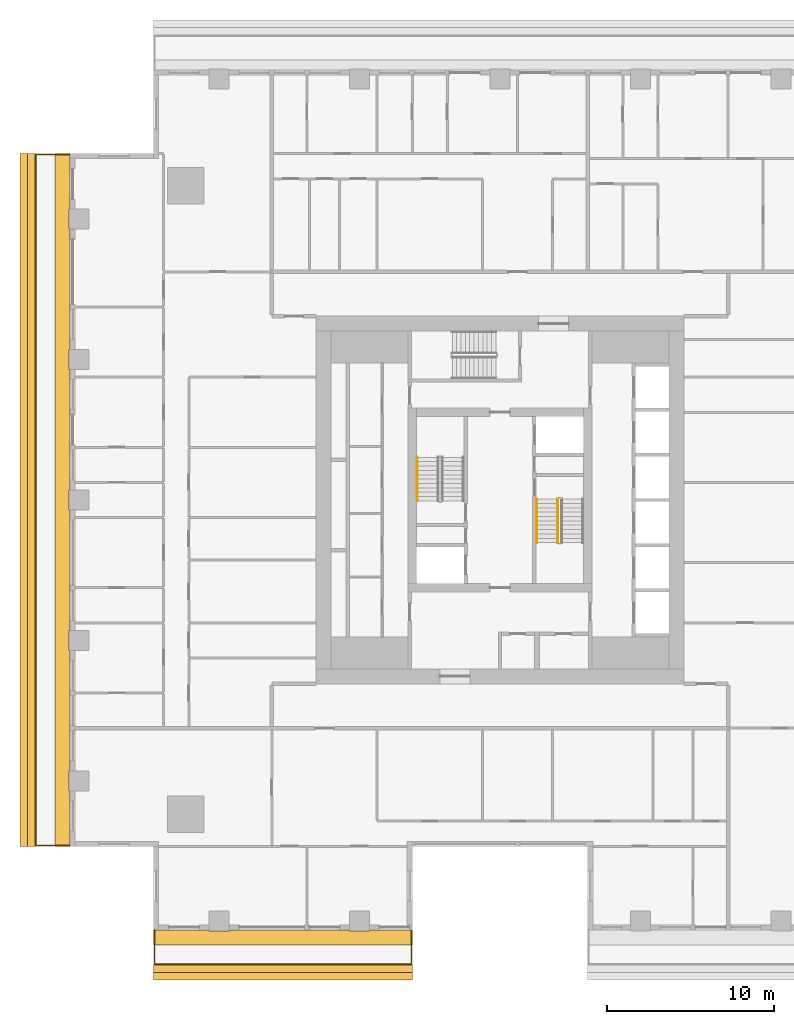
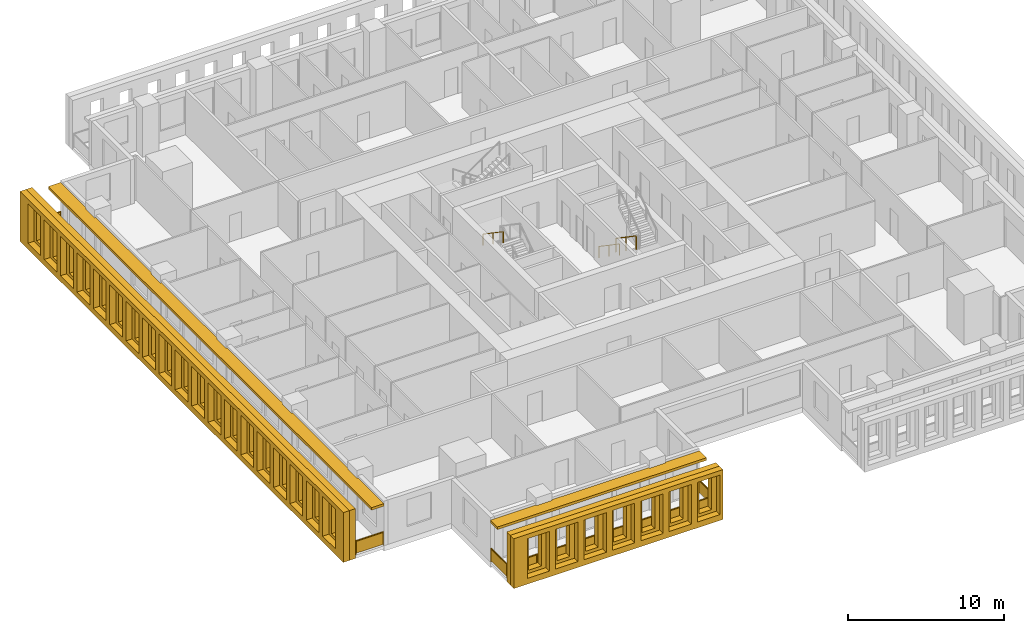
# One storey, part 11 of 15: 6 shading devices, 5 railings.
"""IFC4 building model written with IfcOpenShell, lengths in metres."""

import ifcopenshell
import ifcopenshell.guid

model = None  # the IFC model being written
_history = None  # IfcOwnerHistory: only IFC2X3 demands one
_inside = {}  # id of a spatial element -> (the spatial element, [elements in it])
_under = {}  # id of a project, library or spatial element -> (it, [spatial elements below it])
_declared = {}  # id of a project -> (the project, [libraries it declares])
_typed = {}  # id of a type object -> (the type object, [elements of that type])
_made_of = {}  # id of a material, layer set ... -> (it, [elements and type objects made of it])


def new_model(schema):
    """Start an empty IFC model of exactly this schema.

    Asked for "IFC4X3", IfcOpenShell would pick the latest addendum, in which some entities
    have other attributes; the version numbers below select the first issue.
    IFC2X3 requires an IfcOwnerHistory on every rooted entity: one is made here for all.
    """
    global model, _history
    if schema == "IFC4X3":
        model = ifcopenshell.file(schema_version=(4, 3, 0, 0))
    else:
        model = ifcopenshell.file(schema=schema)
    _inside.clear()
    _under.clear()
    _declared.clear()
    _typed.clear()
    _made_of.clear()
    _history = None
    if model.schema == "IFC2X3":
        org = make("IfcOrganization", Name="unknown")
        user = make(
            "IfcPersonAndOrganization",
            ThePerson=make("IfcPerson", FamilyName="unknown"),
            TheOrganization=org,
        )
        app = make(
            "IfcApplication",
            ApplicationDeveloper=org,
            Version="unknown",
            ApplicationFullName="unknown",
            ApplicationIdentifier="unknown",
        )
        _history = make(
            "IfcOwnerHistory",
            OwningUser=user,
            OwningApplication=app,
            ChangeAction="ADDED",
            CreationDate=0,
        )
    return model


def make(cls, **values):
    """One entity of the class cls with the attributes given. An attribute that is None is left unset."""
    return model.create_entity(
        cls, **{name: value for name, value in values.items() if value is not None}
    )


def rooted(cls, **values):
    """An entity with a GlobalId (a new one), such as an element, a storey or a relation."""
    return make(cls, GlobalId=ifcopenshell.guid.new(), OwnerHistory=_history, **values)


def si_unit(unit_type, name, prefix=None):
    """IfcSIUnit, for example si_unit("LENGTHUNIT", "METRE", prefix="MILLI")."""
    return make("IfcSIUnit", UnitType=unit_type, Prefix=prefix, Name=name)


def assignment(units):
    """IfcUnitAssignment: the units of a project."""
    return None if units is None else make("IfcUnitAssignment", Units=units)


def point(xyz):
    """IfcCartesianPoint."""
    return None if xyz is None else make("IfcCartesianPoint", Coordinates=xyz)


def direction(xyz):
    """IfcDirection."""
    return None if xyz is None else make("IfcDirection", DirectionRatios=xyz)


def frame(location, z_axis=None, x_axis=None):
    """IfcAxis2Placement3D, a coordinate frame: its origin and axes. An axis left out is left unset."""
    return make(
        "IfcAxis2Placement3D",
        Location=point(location),
        Axis=direction(z_axis),
        RefDirection=direction(x_axis),
    )


def frame_2d(location, x_axis=None):
    """IfcAxis2Placement2D, a coordinate frame in the plane: its origin and x axis."""
    return make(
        "IfcAxis2Placement2D", Location=point(location), RefDirection=direction(x_axis)
    )


def origin():
    """The frame at (0, 0, 0) with its axes left unset."""
    return frame((0.0, 0.0, 0.0))


def origin_2d():
    """The frame at (0, 0) in the plane with its x axis left unset."""
    return frame_2d((0.0, 0.0))


def place(relative_to, where):
    """IfcLocalPlacement: puts the frame where relative to a parent placement (None: the world)."""
    return make(
        "IfcLocalPlacement", PlacementRelTo=relative_to, RelativePlacement=where
    )


def context(
    kind, dimensions, precision=None, world=None, true_north=None, identifier=None
):
    """IfcGeometricRepresentationContext, for example the 3D "Model" context."""
    return make(
        "IfcGeometricRepresentationContext",
        ContextIdentifier=identifier,
        ContextType=kind,
        CoordinateSpaceDimension=dimensions,
        Precision=precision,
        WorldCoordinateSystem=world,
        TrueNorth=true_north,
    )


def subcontext(parent, identifier, kind, view, scale=None):
    """IfcGeometricRepresentationSubContext, for example "Body" below "Model"."""
    return make(
        "IfcGeometricRepresentationSubContext",
        ContextIdentifier=identifier,
        ContextType=kind,
        ParentContext=parent,
        TargetScale=scale,
        TargetView=view,
    )


def project(units=None, contexts=None):
    """IfcProject with its units and contexts."""
    return rooted(
        "IfcProject",
        Name="project",
        RepresentationContexts=contexts,
        UnitsInContext=assignment(units),
    )


def spatial(cls, under=None, at=None, **own):
    """A site, building, storey or space (cls), placed at a placement, below another one or the project."""
    s = rooted(cls, ObjectPlacement=at, **own)
    if under is not None:
        _under.setdefault(under.id(), (under, []))[1].append(s)
    return s


def polyline(points):
    """IfcPolyline through the points."""
    return make("IfcPolyline", Points=[point(p) for p in points])


def profile(cls, at=None, kind="AREA", **sizes):
    """A parametric profile (cls). Its sizes go by their IFC names, for example OverallWidth=200.0."""
    return make(cls, ProfileType=kind, Position=at, **sizes)


def rectangle(**sizes):
    """IfcRectangleProfileDef."""
    return profile("IfcRectangleProfileDef", **sizes)


def outline(outer, holes=None, kind="AREA"):
    """IfcArbitraryClosedProfileDef: a profile drawn as a closed curve; with holes, ...WithVoids."""
    if holes is None:
        return make("IfcArbitraryClosedProfileDef", ProfileType=kind, OuterCurve=outer)
    return make(
        "IfcArbitraryProfileDefWithVoids",
        ProfileType=kind,
        OuterCurve=outer,
        InnerCurves=holes,
    )


def extrude(swept, where, along, depth):
    """IfcExtrudedAreaSolid: the profile swept, set in the frame where, extruded along a direction by depth."""
    return make(
        "IfcExtrudedAreaSolid",
        SweptArea=swept,
        Position=where,
        ExtrudedDirection=direction(along),
        Depth=depth,
    )


def shape(context_of_items, identifier, shape_type, items):
    """IfcShapeRepresentation: the items that make up one representation, for example the "Body"."""
    return make(
        "IfcShapeRepresentation",
        ContextOfItems=context_of_items,
        RepresentationIdentifier=identifier,
        RepresentationType=shape_type,
        Items=items,
    )


def material(Name=None, Category=None):
    """IfcMaterial."""
    return make("IfcMaterial", Name=Name, Category=Category)


def layer(
    of_material, thickness, ventilated=None, Name=None, Category=None, Priority=None
):
    """IfcMaterialLayer: one layer of a wall or slab, of a material (None: an air gap)."""
    return make(
        "IfcMaterialLayer",
        Material=of_material,
        LayerThickness=thickness,
        IsVentilated=ventilated,
        Name=Name,
        Category=Category,
        Priority=Priority,
    )


def layer_set(layers, Name=None):
    """IfcMaterialLayerSet."""
    return make("IfcMaterialLayerSet", MaterialLayers=layers, LayerSetName=Name)


def made_of(thing, what):
    """Note that an element or type object is made of a material, layer set ...; save() writes the relation."""
    if what is not None:
        _made_of.setdefault(what.id(), (what, []))[1].append(thing)
    return thing


def type_object(cls, material=None, **own):
    """A type object (cls), such as IfcWallType, which elements share."""
    return made_of(rooted(cls, **own), material)


def element(
    cls,
    number,
    at=None,
    inside=None,
    cuts=None,
    type_object=None,
    material=None,
    context=None,
    identifier="Body",
    shape_type=None,
    held_by="IfcProductDefinitionShape",
    body=None,
    shapes=None,
    **own,
):
    """One element of the class cls, such as IfcWall. Its Tag is "e" and its number.

    at: its placement. inside: the storey or other place that contains it. cuts: it is an
    opening in that element (IfcRelVoidsElement). A single representation is given by context,
    identifier, shape_type and body (its items); several are given by shapes. held_by: the class
    of the entity that holds the representations. save() writes the other relations.
    """
    e = rooted(cls, Tag="e%d" % number, ObjectPlacement=at, **own)
    if body is not None:
        shapes = [shape(context, identifier, shape_type, body)]
    if shapes is not None:
        e.Representation = make(held_by, Representations=shapes)
    if inside is not None:
        _inside.setdefault(inside.id(), (inside, []))[1].append(e)
    if cuts is not None:
        rooted(
            "IfcRelVoidsElement", RelatingBuildingElement=cuts, RelatedOpeningElement=e
        )
    if type_object is not None:
        _typed.setdefault(type_object.id(), (type_object, []))[1].append(e)
    return made_of(e, material)


def aggregate(whole, parts):
    """IfcRelAggregates: a whole, such as a stair, and the parts it consists of."""
    return rooted("IfcRelAggregates", RelatingObject=whole, RelatedObjects=parts)


def save(model, path):
    """Write the relations noted so far, then the file.

    IfcRelAggregates (storeys below a building ...), IfcRelContainedInSpatialStructure (elements
    in a storey), IfcRelDefinesByType, IfcRelAssociatesMaterial and IfcRelDeclares: one each for
    every whole, place, type object, material and project.
    """
    for whole, parts in _under.values():
        aggregate(whole, parts)
    for where, things in _inside.values():
        rooted(
            "IfcRelContainedInSpatialStructure",
            RelatedElements=things,
            RelatingStructure=where,
        )
    for kind, things in _typed.values():
        rooted("IfcRelDefinesByType", RelatedObjects=things, RelatingType=kind)
    for what, things in _made_of.values():
        rooted("IfcRelAssociatesMaterial", RelatedObjects=things, RelatingMaterial=what)
    for by, libraries in _declared.values():
        rooted("IfcRelDeclares", RelatingContext=by, RelatedDefinitions=libraries)
    model.write(path)


model = new_model("IFC4")

# Units and contexts
model_context = context("Model", 3, precision=1e-05, world=origin(), true_north=direction((0.0, 1.0)))
body_context = subcontext(model_context, "Body", "Model", "MODEL_VIEW")
ifc_project = project(units=[si_unit("LENGTHUNIT", "METRE"), si_unit("AREAUNIT", "SQUARE_METRE"), si_unit("VOLUMEUNIT", "CUBIC_METRE"), si_unit("PLANEANGLEUNIT", "RADIAN"), si_unit("MASSUNIT", "GRAM", prefix="KILO")], contexts=[model_context])

# Site, building, storey
site_placement = place(None, origin())
site = spatial("IfcSite", under=ifc_project, at=site_placement, CompositionType="ELEMENT")
building_placement = place(site_placement, origin())
building = spatial("IfcBuilding", under=site, at=building_placement, Name="Khepri Terraces", CompositionType="ELEMENT")
storey_placement = place(building_placement, frame((0.0, 0.0, 252.300048828125)))
storey = spatial("IfcBuildingStorey", under=building, at=storey_placement, Name="L60", CompositionType="ELEMENT", Elevation=252.300048828125)

# Railings
ifc_material_1 = material(Name="Stainless steel grade 316", Category="steel")
railing_type_1 = type_object("IfcRailingType", Name="GRD-BAL-1100", PredefinedType="GUARDRAIL", material=ifc_material_1)
railing_1_placement = place(storey_placement, frame((-20.669921875, -25.719970703125, 0.0)))
element("IfcRailing", 1, at=railing_1_placement, inside=storey, type_object=railing_type_1, Name="Balcony guard L60 S", PredefinedType="GUARDRAIL", context=body_context, shape_type="SweptSolid", body=[
    extrude(rectangle(XDim=0.050048828125, YDim=0.06005859375, at=origin_2d()), frame((0.0, 0.0, 1.070068359375), z_axis=(0.0, -1.0, 0.0), x_axis=(1.0, 0.0, 0.0)), (0.0, 0.0, 1.0), 2.050048828125),
    extrude(rectangle(XDim=2.0, YDim=0.011962890625, at=origin_2d()), frame((0.0, -1.02490234375, 0.10009765625), z_axis=(0.0, 0.0, 1.0), x_axis=(0.0, -1.0, 0.0)), (0.0, 0.0, 1.0), 0.93994140625),
    extrude(rectangle(XDim=0.050048828125, YDim=0.06005859375, at=origin_2d()), frame((0.0, -2.050048828125, 1.070068359375), z_axis=(1.0, 0.0, 0.0), x_axis=(0.0, 1.0, 0.0)), (0.0, 0.0, 1.0), 15.369873046875),
    extrude(rectangle(XDim=2.145751953125, YDim=0.011962890625, at=origin_2d()), frame((1.097900390625, -2.050048828125, 0.10009765625), z_axis=(0.0, 0.0, 1.0), x_axis=(1.0, 0.0, 0.0)), (0.0, 0.0, 1.0), 0.93994140625),
    extrude(rectangle(XDim=2.145751953125, YDim=0.011962890625, at=origin_2d()), frame((3.29345703125, -2.050048828125, 0.10009765625), z_axis=(0.0, 0.0, 1.0), x_axis=(1.0, 0.0, 0.0)), (0.0, 0.0, 1.0), 0.93994140625),
    extrude(rectangle(XDim=2.145751953125, YDim=0.011962890625, at=origin_2d()), frame((5.4892578125, -2.050048828125, 0.10009765625), z_axis=(0.0, 0.0, 1.0), x_axis=(1.0, 0.0, 0.0)), (0.0, 0.0, 1.0), 0.93994140625),
    extrude(rectangle(XDim=2.145751953125, YDim=0.011962890625, at=origin_2d()), frame((7.68505859375, -2.050048828125, 0.10009765625), z_axis=(0.0, 0.0, 1.0), x_axis=(1.0, 0.0, 0.0)), (0.0, 0.0, 1.0), 0.93994140625),
    extrude(rectangle(XDim=2.145751953125, YDim=0.011962890625, at=origin_2d()), frame((9.880615234375, -2.050048828125, 0.10009765625), z_axis=(0.0, 0.0, 1.0), x_axis=(1.0, 0.0, 0.0)), (0.0, 0.0, 1.0), 0.93994140625),
    extrude(rectangle(XDim=2.145751953125, YDim=0.011962890625, at=origin_2d()), frame((12.076416015625, -2.050048828125, 0.10009765625), z_axis=(0.0, 0.0, 1.0), x_axis=(1.0, 0.0, 0.0)), (0.0, 0.0, 1.0), 0.93994140625),
    extrude(rectangle(XDim=2.145751953125, YDim=0.011962890625, at=origin_2d()), frame((14.27197265625, -2.050048828125, 0.10009765625), z_axis=(0.0, 0.0, 1.0), x_axis=(1.0, 0.0, 0.0)), (0.0, 0.0, 1.0), 0.93994140625),
    extrude(rectangle(XDim=0.050048828125, YDim=0.06005859375, at=origin_2d()), frame((15.369873046875, -2.050048828125, 1.070068359375), z_axis=(0.0, 1.0, 0.0), x_axis=(-1.0, 0.0, 0.0)), (0.0, 0.0, 1.0), 2.050048828125),
    extrude(rectangle(XDim=2.0, YDim=0.011962890625, at=origin_2d()), frame((15.369873046875, -1.02490234375, 0.10009765625), z_axis=(0.0, 0.0, 1.0), x_axis=(0.0, 1.0, 0.0)), (0.0, 0.0, 1.0), 0.93994140625),
    extrude(rectangle(XDim=0.050048828125, YDim=0.050048828125, at=origin_2d()), origin(), (0.0, 0.0, 1.0), 1.0400390625),
    extrude(rectangle(XDim=0.050048828125, YDim=0.050048828125, at=origin_2d()), frame((0.0, -2.050048828125, 0.0)), (0.0, 0.0, 1.0), 1.0400390625),
    extrude(rectangle(XDim=0.050048828125, YDim=0.050048828125, at=origin_2d()), frame((2.19580078125, -2.050048828125, 0.0)), (0.0, 0.0, 1.0), 1.0400390625),
    extrude(rectangle(XDim=0.050048828125, YDim=0.050048828125, at=origin_2d()), frame((4.391357421875, -2.050048828125, 0.0)), (0.0, 0.0, 1.0), 1.0400390625),
    extrude(rectangle(XDim=0.050048828125, YDim=0.050048828125, at=origin_2d()), frame((6.587158203125, -2.050048828125, 0.0)), (0.0, 0.0, 1.0), 1.0400390625),
    extrude(rectangle(XDim=0.050048828125, YDim=0.050048828125, at=origin_2d()), frame((8.78271484375, -2.050048828125, 0.0)), (0.0, 0.0, 1.0), 1.0400390625),
    extrude(rectangle(XDim=0.050048828125, YDim=0.050048828125, at=origin_2d()), frame((10.978515625, -2.050048828125, 0.0)), (0.0, 0.0, 1.0), 1.0400390625),
    extrude(rectangle(XDim=0.050048828125, YDim=0.050048828125, at=origin_2d()), frame((13.174072265625, -2.050048828125, 0.0)), (0.0, 0.0, 1.0), 1.0400390625),
    extrude(rectangle(XDim=0.050048828125, YDim=0.050048828125, at=origin_2d()), frame((15.369873046875, -2.050048828125, 0.0)), (0.0, 0.0, 1.0), 1.0400390625),
    extrude(rectangle(XDim=0.050048828125, YDim=0.050048828125, at=origin_2d()), frame((15.369873046875, 0.0, 0.0)), (0.0, 0.0, 1.0), 1.0400390625),
])
railing_2_placement = place(storey_placement, frame((-25.719970703125, 20.669921875, 0.0)))
element("IfcRailing", 2, at=railing_2_placement, inside=storey, type_object=railing_type_1, Name="Balcony guard L60 W", PredefinedType="GUARDRAIL", context=body_context, shape_type="SweptSolid", body=[
    extrude(rectangle(XDim=0.050048828125, YDim=0.06005859375, at=origin_2d()), frame((0.0, 0.0, 1.070068359375), z_axis=(-1.0, 0.0, 0.0), x_axis=(0.0, -1.0, 0.0)), (0.0, 0.0, 1.0), 2.050048828125),
    extrude(rectangle(XDim=2.0, YDim=0.011962890625, at=origin_2d()), frame((-1.02490234375, 0.0, 0.10009765625), z_axis=(0.0, 0.0, 1.0), x_axis=(-1.0, 0.0, 0.0)), (0.0, 0.0, 1.0), 0.93994140625),
    extrude(rectangle(XDim=0.050048828125, YDim=0.06005859375, at=origin_2d()), frame((-2.050048828125, 0.0, 1.070068359375), z_axis=(0.0, -1.0, 0.0), x_axis=(1.0, 0.0, 0.0)), (0.0, 0.0, 1.0), 41.33984375),
    extrude(rectangle(XDim=2.24658203125, YDim=0.011962890625, at=origin_2d()), frame((-2.050048828125, -1.1484375, 0.10009765625), z_axis=(0.0, 0.0, 1.0), x_axis=(0.0, -1.0, 0.0)), (0.0, 0.0, 1.0), 0.93994140625),
    extrude(rectangle(XDim=2.24658203125, YDim=0.011962890625, at=origin_2d()), frame((-2.050048828125, -3.445068359375, 0.10009765625), z_axis=(0.0, 0.0, 1.0), x_axis=(0.0, -1.0, 0.0)), (0.0, 0.0, 1.0), 0.93994140625),
    extrude(rectangle(XDim=2.24658203125, YDim=0.011962890625, at=origin_2d()), frame((-2.050048828125, -5.74169921875, 0.10009765625), z_axis=(0.0, 0.0, 1.0), x_axis=(0.0, -1.0, 0.0)), (0.0, 0.0, 1.0), 0.93994140625),
    extrude(rectangle(XDim=2.24658203125, YDim=0.011962890625, at=origin_2d()), frame((-2.050048828125, -8.038330078125, 0.10009765625), z_axis=(0.0, 0.0, 1.0), x_axis=(0.0, -1.0, 0.0)), (0.0, 0.0, 1.0), 0.93994140625),
    extrude(rectangle(XDim=2.24658203125, YDim=0.011962890625, at=origin_2d()), frame((-2.050048828125, -10.3349609375, 0.10009765625), z_axis=(0.0, 0.0, 1.0), x_axis=(0.0, -1.0, 0.0)), (0.0, 0.0, 1.0), 0.93994140625),
    extrude(rectangle(XDim=2.24658203125, YDim=0.011962890625, at=origin_2d()), frame((-2.050048828125, -12.631591796875, 0.10009765625), z_axis=(0.0, 0.0, 1.0), x_axis=(0.0, -1.0, 0.0)), (0.0, 0.0, 1.0), 0.93994140625),
    extrude(rectangle(XDim=2.24658203125, YDim=0.011962890625, at=origin_2d()), frame((-2.050048828125, -14.92822265625, 0.10009765625), z_axis=(0.0, 0.0, 1.0), x_axis=(0.0, -1.0, 0.0)), (0.0, 0.0, 1.0), 0.93994140625),
    extrude(rectangle(XDim=2.24658203125, YDim=0.011962890625, at=origin_2d()), frame((-2.050048828125, -17.224853515625, 0.10009765625), z_axis=(0.0, 0.0, 1.0), x_axis=(0.0, -1.0, 0.0)), (0.0, 0.0, 1.0), 0.93994140625),
    extrude(rectangle(XDim=2.24658203125, YDim=0.011962890625, at=origin_2d()), frame((-2.050048828125, -19.521484375, 0.10009765625), z_axis=(0.0, 0.0, 1.0), x_axis=(0.0, -1.0, 0.0)), (0.0, 0.0, 1.0), 0.93994140625),
    extrude(rectangle(XDim=2.24658203125, YDim=0.011962890625, at=origin_2d()), frame((-2.050048828125, -21.818359375, 0.10009765625), z_axis=(0.0, 0.0, 1.0), x_axis=(0.0, -1.0, 0.0)), (0.0, 0.0, 1.0), 0.93994140625),
    extrude(rectangle(XDim=2.24658203125, YDim=0.011962890625, at=origin_2d()), frame((-2.050048828125, -24.114990234375, 0.10009765625), z_axis=(0.0, 0.0, 1.0), x_axis=(0.0, -1.0, 0.0)), (0.0, 0.0, 1.0), 0.93994140625),
    extrude(rectangle(XDim=2.24658203125, YDim=0.011962890625, at=origin_2d()), frame((-2.050048828125, -26.41162109375, 0.10009765625), z_axis=(0.0, 0.0, 1.0), x_axis=(0.0, -1.0, 0.0)), (0.0, 0.0, 1.0), 0.93994140625),
    extrude(rectangle(XDim=2.24658203125, YDim=0.011962890625, at=origin_2d()), frame((-2.050048828125, -28.708251953125, 0.10009765625), z_axis=(0.0, 0.0, 1.0), x_axis=(0.0, -1.0, 0.0)), (0.0, 0.0, 1.0), 0.93994140625),
    extrude(rectangle(XDim=2.24658203125, YDim=0.011962890625, at=origin_2d()), frame((-2.050048828125, -31.0048828125, 0.10009765625), z_axis=(0.0, 0.0, 1.0), x_axis=(0.0, -1.0, 0.0)), (0.0, 0.0, 1.0), 0.93994140625),
    extrude(rectangle(XDim=2.24658203125, YDim=0.011962890625, at=origin_2d()), frame((-2.050048828125, -33.301513671875, 0.10009765625), z_axis=(0.0, 0.0, 1.0), x_axis=(0.0, -1.0, 0.0)), (0.0, 0.0, 1.0), 0.93994140625),
    extrude(rectangle(XDim=2.24658203125, YDim=0.011962890625, at=origin_2d()), frame((-2.050048828125, -35.59814453125, 0.10009765625), z_axis=(0.0, 0.0, 1.0), x_axis=(0.0, -1.0, 0.0)), (0.0, 0.0, 1.0), 0.93994140625),
    extrude(rectangle(XDim=2.24658203125, YDim=0.011962890625, at=origin_2d()), frame((-2.050048828125, -37.894775390625, 0.10009765625), z_axis=(0.0, 0.0, 1.0), x_axis=(0.0, -1.0, 0.0)), (0.0, 0.0, 1.0), 0.93994140625),
    extrude(rectangle(XDim=2.24658203125, YDim=0.011962890625, at=origin_2d()), frame((-2.050048828125, -40.19140625, 0.10009765625), z_axis=(0.0, 0.0, 1.0), x_axis=(0.0, -1.0, 0.0)), (0.0, 0.0, 1.0), 0.93994140625),
    extrude(rectangle(XDim=0.050048828125, YDim=0.06005859375, at=origin_2d()), frame((-2.050048828125, -41.33984375, 1.070068359375), z_axis=(1.0, 0.0, 0.0), x_axis=(0.0, 1.0, 0.0)), (0.0, 0.0, 1.0), 2.050048828125),
    extrude(rectangle(XDim=2.0, YDim=0.011962890625, at=origin_2d()), frame((-1.02490234375, -41.33984375, 0.10009765625), z_axis=(0.0, 0.0, 1.0), x_axis=(1.0, 0.0, 0.0)), (0.0, 0.0, 1.0), 0.93994140625),
    extrude(rectangle(XDim=0.050048828125, YDim=0.050048828125, at=origin_2d()), origin(), (0.0, 0.0, 1.0), 1.0400390625),
    extrude(rectangle(XDim=0.050048828125, YDim=0.050048828125, at=origin_2d()), frame((-2.050048828125, 0.0, 0.0)), (0.0, 0.0, 1.0), 1.0400390625),
    extrude(rectangle(XDim=0.050048828125, YDim=0.050048828125, at=origin_2d()), frame((-2.050048828125, -2.296630859375, 0.0)), (0.0, 0.0, 1.0), 1.0400390625),
    extrude(rectangle(XDim=0.050048828125, YDim=0.050048828125, at=origin_2d()), frame((-2.050048828125, -4.59326171875, 0.0)), (0.0, 0.0, 1.0), 1.0400390625),
    extrude(rectangle(XDim=0.050048828125, YDim=0.050048828125, at=origin_2d()), frame((-2.050048828125, -6.889892578125, 0.0)), (0.0, 0.0, 1.0), 1.0400390625),
    extrude(rectangle(XDim=0.050048828125, YDim=0.050048828125, at=origin_2d()), frame((-2.050048828125, -9.1865234375, 0.0)), (0.0, 0.0, 1.0), 1.0400390625),
    extrude(rectangle(XDim=0.050048828125, YDim=0.050048828125, at=origin_2d()), frame((-2.050048828125, -11.4833984375, 0.0)), (0.0, 0.0, 1.0), 1.0400390625),
    extrude(rectangle(XDim=0.050048828125, YDim=0.050048828125, at=origin_2d()), frame((-2.050048828125, -13.780029296875, 0.0)), (0.0, 0.0, 1.0), 1.0400390625),
    extrude(rectangle(XDim=0.050048828125, YDim=0.050048828125, at=origin_2d()), frame((-2.050048828125, -16.07666015625, 0.0)), (0.0, 0.0, 1.0), 1.0400390625),
    extrude(rectangle(XDim=0.050048828125, YDim=0.050048828125, at=origin_2d()), frame((-2.050048828125, -18.373291015625, 0.0)), (0.0, 0.0, 1.0), 1.0400390625),
    extrude(rectangle(XDim=0.050048828125, YDim=0.050048828125, at=origin_2d()), frame((-2.050048828125, -20.669921875, 0.0)), (0.0, 0.0, 1.0), 1.0400390625),
    extrude(rectangle(XDim=0.050048828125, YDim=0.050048828125, at=origin_2d()), frame((-2.050048828125, -22.966552734375, 0.0)), (0.0, 0.0, 1.0), 1.0400390625),
    extrude(rectangle(XDim=0.050048828125, YDim=0.050048828125, at=origin_2d()), frame((-2.050048828125, -25.26318359375, 0.0)), (0.0, 0.0, 1.0), 1.0400390625),
    extrude(rectangle(XDim=0.050048828125, YDim=0.050048828125, at=origin_2d()), frame((-2.050048828125, -27.559814453125, 0.0)), (0.0, 0.0, 1.0), 1.0400390625),
    extrude(rectangle(XDim=0.050048828125, YDim=0.050048828125, at=origin_2d()), frame((-2.050048828125, -29.8564453125, 0.0)), (0.0, 0.0, 1.0), 1.0400390625),
    extrude(rectangle(XDim=0.050048828125, YDim=0.050048828125, at=origin_2d()), frame((-2.050048828125, -32.1533203125, 0.0)), (0.0, 0.0, 1.0), 1.0400390625),
    extrude(rectangle(XDim=0.050048828125, YDim=0.050048828125, at=origin_2d()), frame((-2.050048828125, -34.449951171875, 0.0)), (0.0, 0.0, 1.0), 1.0400390625),
    extrude(rectangle(XDim=0.050048828125, YDim=0.050048828125, at=origin_2d()), frame((-2.050048828125, -36.74658203125, 0.0)), (0.0, 0.0, 1.0), 1.0400390625),
    extrude(rectangle(XDim=0.050048828125, YDim=0.050048828125, at=origin_2d()), frame((-2.050048828125, -39.043212890625, 0.0)), (0.0, 0.0, 1.0), 1.0400390625),
    extrude(rectangle(XDim=0.050048828125, YDim=0.050048828125, at=origin_2d()), frame((-2.050048828125, -41.33984375, 0.0)), (0.0, 0.0, 1.0), 1.0400390625),
    extrude(rectangle(XDim=0.050048828125, YDim=0.050048828125, at=origin_2d()), frame((0.0, -41.33984375, 0.0)), (0.0, 0.0, 1.0), 1.0400390625),
])
ifc_material_2 = material(Name="Stainless steel 316", Category="steel")
railing_type_2 = type_object("IfcRailingType", Name="RL-CORE-GUARD", PredefinedType="GUARDRAIL", material=ifc_material_2)
railing_3_placement = place(storey_placement, frame((3.449951171875, 0.050048828125, 0.17724609375)))
element("IfcRailing", 3, at=railing_3_placement, inside=storey, type_object=railing_type_2, Name="L60 ST-2 stair guard 1", PredefinedType="GUARDRAIL", context=body_context, shape_type="SweptSolid", body=[
    extrude(rectangle(XDim=0.050048828125, YDim=0.06005859375, at=origin_2d()), frame((0.0, 0.0, 1.070068359375), z_axis=(0.0, -0.826240473404, 0.563317565952), x_axis=(1.0, 0.0, 0.0)), (0.0, 0.0, 1.0), 3.14697265625),
    extrude(rectangle(XDim=0.050048828125, YDim=0.050048828125, at=origin_2d()), origin(), (0.0, 0.0, 1.0), 1.0400390625),
    extrude(rectangle(XDim=0.050048828125, YDim=0.050048828125, at=origin_2d()), frame((0.0, -1.300048828125, 0.88623046875)), (0.0, 0.0, 1.0), 1.0400390625),
    extrude(rectangle(XDim=0.050048828125, YDim=0.050048828125, at=origin_2d()), frame((0.0, -2.60009765625, 1.772705078125)), (0.0, 0.0, 1.0), 1.0400390625),
])
railing_type_3 = type_object("IfcRailingType", Name="RL-CORE-HANDRAIL", PredefinedType="HANDRAIL", material=ifc_material_2)
for number, where, name in (
    (4, (-4.949951171875, 2.550048828125, 2.127197265625), "L60 ST-1 stair handrail 2"),
    (5, (2.199951171875, 0.050048828125, 0.17724609375), "L60 ST-2 stair handrail 1"),
):
    element("IfcRailing", number, at=place(storey_placement, frame(where)), inside=storey, type_object=railing_type_3, Name=name, PredefinedType="HANDRAIL", context=body_context, shape_type="SweptSolid", body=[
        extrude(rectangle(XDim=0.050048828125, YDim=0.050048828125, at=origin_2d()), frame((0.0, 0.0, 0.875), z_axis=(0.0, -0.826240473404, 0.563317565952), x_axis=(1.0, 0.0, 0.0)), (0.0, 0.0, 1.0), 3.14697265625),
        extrude(rectangle(XDim=0.050048828125, YDim=0.050048828125, at=origin_2d()), origin(), (0.0, 0.0, 1.0), 0.849853515625),
        extrude(rectangle(XDim=0.050048828125, YDim=0.050048828125, at=origin_2d()), frame((0.0, -1.300048828125, 0.88623046875)), (0.0, 0.0, 1.0), 0.849853515625),
        extrude(rectangle(XDim=0.050048828125, YDim=0.050048828125, at=origin_2d()), frame((0.0, -2.60009765625, 1.772705078125)), (0.0, 0.0, 1.0), 0.849853515625),
    ])

# Shading devices
ifc_material_3 = material(Name="Precast concrete C50/60 warm stone", Category="masonry")
shading_device_type_1 = type_object("IfcShadingDeviceType", Name="SCR-CELL-INNER-450", PredefinedType="USERDEFINED", material=ifc_material_3)
shading_device_1_placement = place(storey_placement, frame((-20.719970703125, -27.820068359375, -0.25), z_axis=(0.0, -1.0, 0.0), x_axis=(1.0, 0.0, 0.0)))
element("IfcShadingDevice", 6, at=shading_device_1_placement, inside=storey, type_object=shading_device_type_1, Name="Cell screen L60 S in", ObjectType="SCREEN", PredefinedType="USERDEFINED", context=body_context, shape_type="SweptSolid", body=[
    extrude(outline(polyline([(0.0, 0.0), (15.469970703125, 0.0), (15.469970703125, 3.89990234375), (0.0, 3.89990234375), (0.0, 0.0)]), holes=[polyline([(1.347412109375, 0.699951171875), (2.29248046875, 0.699951171875), (2.29248046875, 3.300048828125), (1.347412109375, 3.300048828125), (1.347412109375, 0.699951171875)]), polyline([(3.447509765625, 0.699951171875), (4.392578125, 0.699951171875), (4.392578125, 3.300048828125), (3.447509765625, 3.300048828125), (3.447509765625, 0.699951171875)]), polyline([(5.547607421875, 0.699951171875), (6.492431640625, 0.699951171875), (6.492431640625, 3.300048828125), (5.547607421875, 3.300048828125), (5.547607421875, 0.699951171875)]), polyline([(7.6474609375, 0.699951171875), (8.592529296875, 0.699951171875), (8.592529296875, 3.300048828125), (7.6474609375, 3.300048828125), (7.6474609375, 0.699951171875)]), polyline([(9.74755859375, 0.699951171875), (10.6923828125, 0.699951171875), (10.6923828125, 3.300048828125), (9.74755859375, 3.300048828125), (9.74755859375, 0.699951171875)]), polyline([(11.847412109375, 0.699951171875), (12.79248046875, 0.699951171875), (12.79248046875, 3.300048828125), (11.847412109375, 3.300048828125), (11.847412109375, 0.699951171875)]), polyline([(13.947509765625, 0.699951171875), (14.892578125, 0.699951171875), (14.892578125, 3.300048828125), (13.947509765625, 3.300048828125), (13.947509765625, 0.699951171875)])]), origin(), (0.0, 0.0, 1.0), 0.449951171875),
])
shading_device_2_placement = place(storey_placement, frame((-27.820068359375, 20.719970703125, -0.25), z_axis=(-1.0, 0.0, 0.0), x_axis=(0.0, -1.0, 0.0)))
element("IfcShadingDevice", 7, at=shading_device_2_placement, inside=storey, type_object=shading_device_type_1, Name="Cell screen L60 W in", ObjectType="SCREEN", PredefinedType="USERDEFINED", context=body_context, shape_type="SweptSolid", body=[
    extrude(outline(polyline([(0.0, 0.0), (41.43994140625, 0.0), (41.43994140625, 3.89990234375), (0.0, 3.89990234375), (0.0, 0.0)]), holes=[polyline([(1.347412109375, 0.699951171875), (2.29248046875, 0.699951171875), (2.29248046875, 3.300048828125), (1.347412109375, 3.300048828125), (1.347412109375, 0.699951171875)]), polyline([(3.447509765625, 0.699951171875), (4.392578125, 0.699951171875), (4.392578125, 3.300048828125), (3.447509765625, 3.300048828125), (3.447509765625, 0.699951171875)]), polyline([(5.547607421875, 0.699951171875), (6.492431640625, 0.699951171875), (6.492431640625, 3.300048828125), (5.547607421875, 3.300048828125), (5.547607421875, 0.699951171875)]), polyline([(7.6474609375, 0.699951171875), (8.592529296875, 0.699951171875), (8.592529296875, 3.300048828125), (7.6474609375, 3.300048828125), (7.6474609375, 0.699951171875)]), polyline([(9.74755859375, 0.699951171875), (10.6923828125, 0.699951171875), (10.6923828125, 3.300048828125), (9.74755859375, 3.300048828125), (9.74755859375, 0.699951171875)]), polyline([(11.847412109375, 0.699951171875), (12.79248046875, 0.699951171875), (12.79248046875, 3.300048828125), (11.847412109375, 3.300048828125), (11.847412109375, 0.699951171875)]), polyline([(13.947509765625, 0.699951171875), (14.892578125, 0.699951171875), (14.892578125, 3.300048828125), (13.947509765625, 3.300048828125), (13.947509765625, 0.699951171875)]), polyline([(16.047607421875, 0.699951171875), (16.992431640625, 0.699951171875), (16.992431640625, 3.300048828125), (16.047607421875, 3.300048828125), (16.047607421875, 0.699951171875)]), polyline([(18.1474609375, 0.699951171875), (19.092529296875, 0.699951171875), (19.092529296875, 3.300048828125), (18.1474609375, 3.300048828125), (18.1474609375, 0.699951171875)]), polyline([(20.24755859375, 0.699951171875), (21.1923828125, 0.699951171875), (21.1923828125, 3.300048828125), (20.24755859375, 3.300048828125), (20.24755859375, 0.699951171875)]), polyline([(22.347412109375, 0.699951171875), (23.29248046875, 0.699951171875), (23.29248046875, 3.300048828125), (22.347412109375, 3.300048828125), (22.347412109375, 0.699951171875)]), polyline([(24.447509765625, 0.699951171875), (25.392578125, 0.699951171875), (25.392578125, 3.300048828125), (24.447509765625, 3.300048828125), (24.447509765625, 0.699951171875)]), polyline([(26.547607421875, 0.699951171875), (27.492431640625, 0.699951171875), (27.492431640625, 3.300048828125), (26.547607421875, 3.300048828125), (26.547607421875, 0.699951171875)]), polyline([(28.6474609375, 0.699951171875), (29.592529296875, 0.699951171875), (29.592529296875, 3.300048828125), (28.6474609375, 3.300048828125), (28.6474609375, 0.699951171875)]), polyline([(30.74755859375, 0.699951171875), (31.6923828125, 0.699951171875), (31.6923828125, 3.300048828125), (30.74755859375, 3.300048828125), (30.74755859375, 0.699951171875)]), polyline([(32.847412109375, 0.699951171875), (33.79248046875, 0.699951171875), (33.79248046875, 3.300048828125), (32.847412109375, 3.300048828125), (32.847412109375, 0.699951171875)]), polyline([(34.947509765625, 0.699951171875), (35.892578125, 0.699951171875), (35.892578125, 3.300048828125), (34.947509765625, 3.300048828125), (34.947509765625, 0.699951171875)]), polyline([(37.047607421875, 0.699951171875), (37.992431640625, 0.699951171875), (37.992431640625, 3.300048828125), (37.047607421875, 3.300048828125), (37.047607421875, 0.699951171875)]), polyline([(39.1474609375, 0.699951171875), (40.092529296875, 0.699951171875), (40.092529296875, 3.300048828125), (39.1474609375, 3.300048828125), (39.1474609375, 0.699951171875)])]), origin(), (0.0, 0.0, 1.0), 0.449951171875),
])
shading_device_type_2 = type_object("IfcShadingDeviceType", Name="SCR-CELL-OUTER-450", PredefinedType="USERDEFINED", material=ifc_material_3)
shading_device_3_placement = place(storey_placement, frame((-20.719970703125, -28.27001953125, -0.25), z_axis=(0.0, -1.0, 0.0), x_axis=(1.0, 0.0, 0.0)))
element("IfcShadingDevice", 8, at=shading_device_3_placement, inside=storey, type_object=shading_device_type_2, Name="Cell screen L60 S out", ObjectType="SCREEN", PredefinedType="USERDEFINED", context=body_context, shape_type="SweptSolid", body=[
    extrude(outline(polyline([(0.0, 0.0), (15.469970703125, 0.0), (15.469970703125, 3.89990234375), (0.0, 3.89990234375), (0.0, 0.0)]), holes=[polyline([(0.99755859375, 0.449951171875), (2.642578125, 0.449951171875), (2.642578125, 3.550048828125), (0.99755859375, 3.550048828125), (0.99755859375, 0.449951171875)]), polyline([(3.097412109375, 0.449951171875), (4.742431640625, 0.449951171875), (4.742431640625, 3.550048828125), (3.097412109375, 3.550048828125), (3.097412109375, 0.449951171875)]), polyline([(5.197509765625, 0.449951171875), (6.842529296875, 0.449951171875), (6.842529296875, 3.550048828125), (5.197509765625, 3.550048828125), (5.197509765625, 0.449951171875)]), polyline([(7.297607421875, 0.449951171875), (8.9423828125, 0.449951171875), (8.9423828125, 3.550048828125), (7.297607421875, 3.550048828125), (7.297607421875, 0.449951171875)]), polyline([(9.3974609375, 0.449951171875), (11.04248046875, 0.449951171875), (11.04248046875, 3.550048828125), (9.3974609375, 3.550048828125), (9.3974609375, 0.449951171875)]), polyline([(11.49755859375, 0.449951171875), (13.142578125, 0.449951171875), (13.142578125, 3.550048828125), (11.49755859375, 3.550048828125), (11.49755859375, 0.449951171875)]), polyline([(13.597412109375, 0.449951171875), (15.242431640625, 0.449951171875), (15.242431640625, 3.550048828125), (13.597412109375, 3.550048828125), (13.597412109375, 0.449951171875)])]), origin(), (0.0, 0.0, 1.0), 0.449951171875),
])
shading_device_4_placement = place(storey_placement, frame((-28.27001953125, 20.719970703125, -0.25), z_axis=(-1.0, 0.0, 0.0), x_axis=(0.0, -1.0, 0.0)))
element("IfcShadingDevice", 9, at=shading_device_4_placement, inside=storey, type_object=shading_device_type_2, Name="Cell screen L60 W out", ObjectType="SCREEN", PredefinedType="USERDEFINED", context=body_context, shape_type="SweptSolid", body=[
    extrude(outline(polyline([(0.0, 0.0), (41.43994140625, 0.0), (41.43994140625, 3.89990234375), (0.0, 3.89990234375), (0.0, 0.0)]), holes=[polyline([(0.99755859375, 0.449951171875), (2.642578125, 0.449951171875), (2.642578125, 3.550048828125), (0.99755859375, 3.550048828125), (0.99755859375, 0.449951171875)]), polyline([(3.097412109375, 0.449951171875), (4.742431640625, 0.449951171875), (4.742431640625, 3.550048828125), (3.097412109375, 3.550048828125), (3.097412109375, 0.449951171875)]), polyline([(5.197509765625, 0.449951171875), (6.842529296875, 0.449951171875), (6.842529296875, 3.550048828125), (5.197509765625, 3.550048828125), (5.197509765625, 0.449951171875)]), polyline([(7.297607421875, 0.449951171875), (8.9423828125, 0.449951171875), (8.9423828125, 3.550048828125), (7.297607421875, 3.550048828125), (7.297607421875, 0.449951171875)]), polyline([(9.3974609375, 0.449951171875), (11.04248046875, 0.449951171875), (11.04248046875, 3.550048828125), (9.3974609375, 3.550048828125), (9.3974609375, 0.449951171875)]), polyline([(11.49755859375, 0.449951171875), (13.142578125, 0.449951171875), (13.142578125, 3.550048828125), (11.49755859375, 3.550048828125), (11.49755859375, 0.449951171875)]), polyline([(13.597412109375, 0.449951171875), (15.242431640625, 0.449951171875), (15.242431640625, 3.550048828125), (13.597412109375, 3.550048828125), (13.597412109375, 0.449951171875)]), polyline([(15.697509765625, 0.449951171875), (17.342529296875, 0.449951171875), (17.342529296875, 3.550048828125), (15.697509765625, 3.550048828125), (15.697509765625, 0.449951171875)]), polyline([(17.797607421875, 0.449951171875), (19.4423828125, 0.449951171875), (19.4423828125, 3.550048828125), (17.797607421875, 3.550048828125), (17.797607421875, 0.449951171875)]), polyline([(19.8974609375, 0.449951171875), (21.54248046875, 0.449951171875), (21.54248046875, 3.550048828125), (19.8974609375, 3.550048828125), (19.8974609375, 0.449951171875)]), polyline([(21.99755859375, 0.449951171875), (23.642578125, 0.449951171875), (23.642578125, 3.550048828125), (21.99755859375, 3.550048828125), (21.99755859375, 0.449951171875)]), polyline([(24.097412109375, 0.449951171875), (25.742431640625, 0.449951171875), (25.742431640625, 3.550048828125), (24.097412109375, 3.550048828125), (24.097412109375, 0.449951171875)]), polyline([(26.197509765625, 0.449951171875), (27.842529296875, 0.449951171875), (27.842529296875, 3.550048828125), (26.197509765625, 3.550048828125), (26.197509765625, 0.449951171875)]), polyline([(28.297607421875, 0.449951171875), (29.9423828125, 0.449951171875), (29.9423828125, 3.550048828125), (28.297607421875, 3.550048828125), (28.297607421875, 0.449951171875)]), polyline([(30.3974609375, 0.449951171875), (32.04248046875, 0.449951171875), (32.04248046875, 3.550048828125), (30.3974609375, 3.550048828125), (30.3974609375, 0.449951171875)]), polyline([(32.49755859375, 0.449951171875), (34.142578125, 0.449951171875), (34.142578125, 3.550048828125), (32.49755859375, 3.550048828125), (32.49755859375, 0.449951171875)]), polyline([(34.597412109375, 0.449951171875), (36.242431640625, 0.449951171875), (36.242431640625, 3.550048828125), (34.597412109375, 3.550048828125), (34.597412109375, 0.449951171875)]), polyline([(36.697509765625, 0.449951171875), (38.342529296875, 0.449951171875), (38.342529296875, 3.550048828125), (36.697509765625, 3.550048828125), (36.697509765625, 0.449951171875)]), polyline([(38.797607421875, 0.449951171875), (40.4423828125, 0.449951171875), (40.4423828125, 3.550048828125), (38.797607421875, 3.550048828125), (38.797607421875, 0.449951171875)])]), origin(), (0.0, 0.0, 1.0), 0.449951171875),
])
ifc_layer = layer(ifc_material_3, 0.199951171875, Name="Precast concrete C50/60 warm stone", Category="masonry")
ifc_layer_set = layer_set([ifc_layer], Name="Precast concrete C50/60 warm stone")
shading_device_type_3 = type_object("IfcShadingDeviceType", Name="SSH-BAND-STONE-200", PredefinedType="USERDEFINED", material=ifc_layer_set)
shading_device_5_placement = place(storey_placement, frame((0.0, 0.0, 3.099853515625)))
element("IfcShadingDevice", 10, at=shading_device_5_placement, inside=storey, type_object=shading_device_type_3, Name="Sunshade band L60 S", ObjectType="SUNSHADE", PredefinedType="USERDEFINED", context=body_context, shape_type="SweptSolid", body=[
    extrude(outline(polyline([(-17.39990234375, -25.719970703125), (-20.719970703125, -25.719970703125), (-20.719970703125, -26.6201171875), (-5.25, -26.6201171875), (-5.25, -25.719970703125), (-7.800048828125, -25.719970703125), (-7.800048828125, -25.800048828125), (-9.0, -25.800048828125), (-9.0, -25.719970703125), (-16.199951171875, -25.719970703125), (-16.199951171875, -25.800048828125), (-17.39990234375, -25.800048828125), (-17.39990234375, -25.719970703125)])), origin(), (0.0, 0.0, 1.0), 0.2001953125),
])
shading_device_6_placement = place(storey_placement, frame((0.0, 0.0, 3.099853515625)))
element("IfcShadingDevice", 11, at=shading_device_6_placement, inside=storey, type_object=shading_device_type_3, Name="Sunshade band L60 W", ObjectType="SUNSHADE", PredefinedType="USERDEFINED", context=body_context, shape_type="SweptSolid", body=[
    extrude(outline(polyline([(-25.719970703125, 17.39990234375), (-25.719970703125, 20.719970703125), (-26.6201171875, 20.719970703125), (-26.6201171875, -20.719970703125), (-25.719970703125, -20.719970703125), (-25.719970703125, -17.39990234375), (-25.800048828125, -17.39990234375), (-25.800048828125, -16.199951171875), (-25.719970703125, -16.199951171875), (-25.719970703125, -9.0), (-25.800048828125, -9.0), (-25.800048828125, -7.800048828125), (-25.719970703125, -7.800048828125), (-25.719970703125, -0.60009765625), (-25.800048828125, -0.60009765625), (-25.800048828125, 0.60009765625), (-25.719970703125, 0.60009765625), (-25.719970703125, 7.800048828125), (-25.800048828125, 7.800048828125), (-25.800048828125, 9.0), (-25.719970703125, 9.0), (-25.719970703125, 16.199951171875), (-25.800048828125, 16.199951171875), (-25.800048828125, 17.39990234375), (-25.719970703125, 17.39990234375)])), origin(), (0.0, 0.0, 1.0), 0.2001953125),
])

save(model, "model.ifc")
